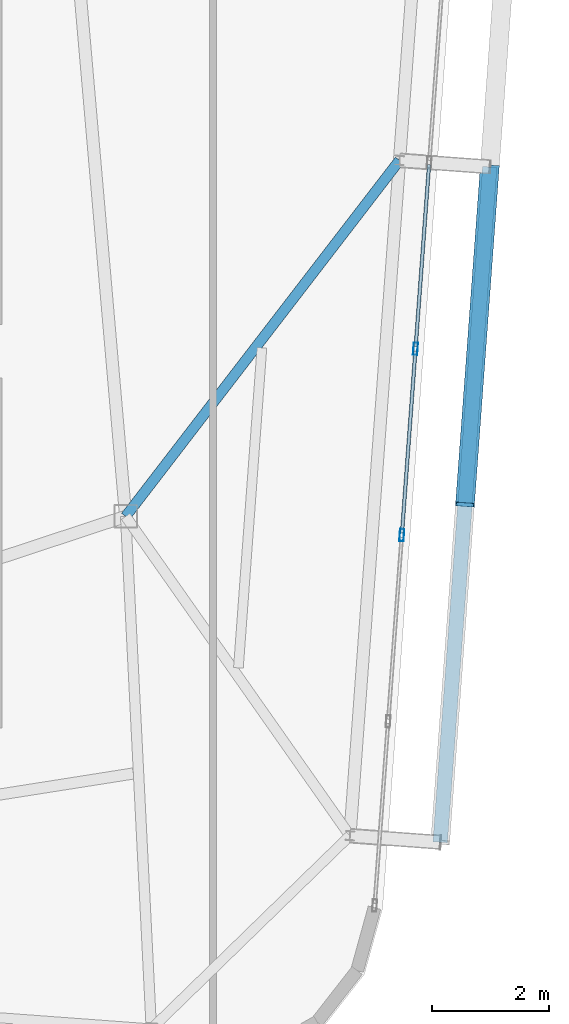
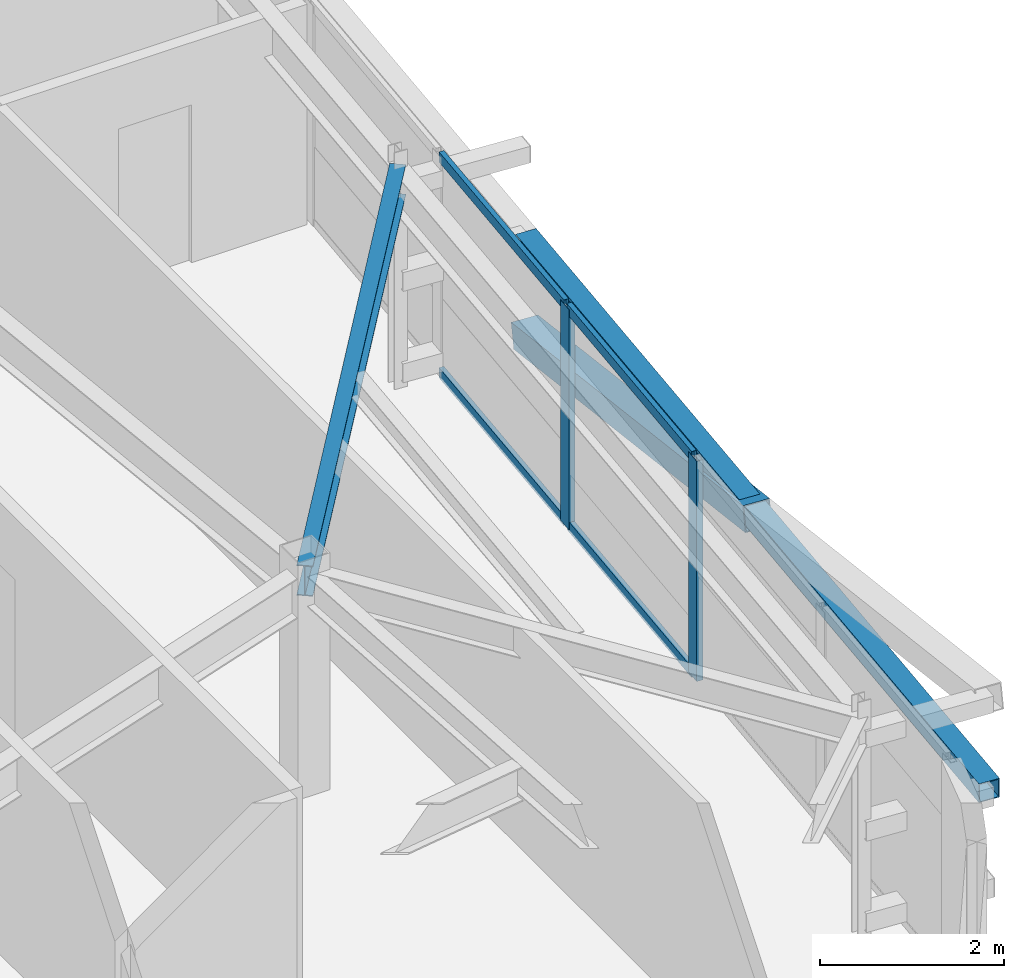
# One storey, part 21 of 42: 8 members, 1 beam, 1 element without a shape of its own.
"""IFC4 building model written with IfcOpenShell, lengths in metres."""

from ifc_helpers import new_model, si_unit, direction, frame, origin, origin_2d, place, context, subcontext, project, spatial, hollow_rectangle, i_section, extrude, source, transform, mapped, material, layer, layer_set, material_profile, profile_set, type_object, element, aggregate, save


model = new_model("IFC4")

# Units and contexts
model_context = context("Model", 3, precision=1e-05, world=origin(), true_north=direction((0.0, 1.0)))
body_context = subcontext(model_context, "Body", "Model", "MODEL_VIEW")
ifc_project = project(units=[si_unit("LENGTHUNIT", "METRE"), si_unit("AREAUNIT", "SQUARE_METRE"), si_unit("VOLUMEUNIT", "CUBIC_METRE"), si_unit("PLANEANGLEUNIT", "RADIAN"), si_unit("MASSUNIT", "GRAM", prefix="KILO")], contexts=[model_context])

# Site, building, storey
site_placement = place(None, origin())
site = spatial("IfcSite", under=ifc_project, at=site_placement, CompositionType="ELEMENT")
building_placement = place(site_placement, origin())
building = spatial("IfcBuilding", under=site, at=building_placement, Name="Taldren Reach Tower", CompositionType="ELEMENT")
storey_placement = place(building_placement, frame((0.0, 0.0, 214.550048828125)))
storey = spatial("IfcBuildingStorey", under=building, at=storey_placement, Name="L65", CompositionType="ELEMENT", Elevation=214.550048828125)

# Beam
ifc_material_1 = material(Name="Steel Gr 350 (350PLUS)", Category="steel")
ifc_material_profile_1 = material_profile(ifc_material_1, i_section(OverallWidth=0.177978515625, OverallDepth=0.406005859375, WebThickness=0.0078125, FlangeThickness=0.0126953125, at=origin_2d()), Name="410UB59.7")
ifc_profile_set_1 = profile_set([ifc_material_profile_1], Name="Steel Gr 350 (350PLUS)")
beam_type = type_object("IfcBeamType", Name="BM-UB410", PredefinedType="BEAM", material=ifc_profile_set_1)
shared_shape_1 = source(origin(), body_context, "Body", "SweptSolid", [
    extrude(i_section(OverallWidth=0.177978515625, OverallDepth=0.406005859375, WebThickness=0.0078125, FlangeThickness=0.0126953125, at=origin_2d()), origin(), (0.0, 0.0, 1.0), 7.6953125),
])
beam_placement = place(storey_placement, frame((52.0, 12.5, 2.72705078125), z_axis=(0.609646363361, 0.792673521471, 0.0), x_axis=(-0.792673521471, 0.609646363361, 0.0)))
element("IfcBeam", 1, at=beam_placement, inside=storey, type_object=beam_type, Name="Primary floor girder B5-E2 L65", PredefinedType="BEAM", context=body_context, shape_type="MappedRepresentation", body=[
    mapped(shared_shape_1, transform((0.0, 0.0, 0.0), scale=1.0)),
])

# Members
ifc_material_2 = material(Name="Steel Gr 450 (C450L0)", Category="steel")
ifc_material_profile_2 = material_profile(ifc_material_2, hollow_rectangle(XDim=0.324951171875, YDim=0.324951171875, WallThickness=0.0126953125, at=origin_2d()), Name="325x325x12.7SHS")
ifc_profile_set_2 = profile_set([ifc_material_profile_2], Name="Steel Gr 450 (C450L0)")
member_type_1 = type_object("IfcMemberType", Name="MB-BR324", PredefinedType="BRACE", material=ifc_profile_set_2)
shared_shape_2 = source(origin(), body_context, "Body", "SweptSolid", [
    extrude(hollow_rectangle(XDim=0.324951171875, YDim=0.324951171875, WallThickness=0.0126953125, at=origin_2d()), origin(), (0.0, 0.0, 1.0), 5.926025390625),
])
member_1_placement = place(storey_placement, frame((58.237060546875, 18.486328125, 0.219970703125), z_axis=(-0.071685935393, -0.976123486939, 0.205046494513), x_axis=(0.997314185625, -0.073242167855, 0.0)))
element("IfcMember", 2, at=member_1_placement, inside=storey, type_object=member_type_1, Name="Exoskeleton Diagrid Brace B5-E1 L65", PredefinedType="BRACE", context=body_context, shape_type="MappedRepresentation", body=[
    mapped(shared_shape_2, transform((0.0, 0.0, 0.0), scale=1.0)),
])
ifc_material_3 = material(Name="Steel Gr 350 (C350L0)", Category="steel")
ifc_material_profile_3 = material_profile(ifc_material_3, hollow_rectangle(XDim=0.25, YDim=0.25, WallThickness=0.010009765625, at=origin_2d()), Name="250x250x10.0SHS")
ifc_profile_set_3 = profile_set([ifc_material_profile_3], Name="Steel Gr 350 (C350L0)")
member_type_2 = type_object("IfcMemberType", Name="MB-POST250", PredefinedType="POST", material=ifc_profile_set_3)
shared_shape_3 = source(origin(), body_context, "Body", "SweptSolid", [
    extrude(hollow_rectangle(XDim=0.25, YDim=0.25, WallThickness=0.010009765625, at=origin_2d()), origin(), (0.0, 0.0, 1.0), 11.60009765625),
])
member_2_placement = place(storey_placement, frame((57.3876953125, 6.91748046875, 1.43505859375), z_axis=(0.073221234109, 0.997315722766, 0.0), x_axis=(-0.997315722766, 0.073221234109, 0.0)))
element("IfcMember", 3, at=member_2_placement, inside=storey, type_object=member_type_2, Name="Exoskeleton mid-height ring chord B5-E1 L65", PredefinedType="POST", context=body_context, shape_type="MappedRepresentation", body=[
    mapped(shared_shape_3, transform((0.0, 0.0, 0.0), scale=1.0)),
])

# Curtain wall, members
ifc_material_4 = material(Name="Aluminium and Low-E Glass Unitised System", Category="aluminium")
ifc_layer = layer(ifc_material_4, 0.159912109375)
ifc_layer_set = layer_set([ifc_layer], Name="Aluminium and Low-E Glass Unitised System")
curtain_wall_type = type_object("IfcCurtainWallType", Name="CW-SYS-6", PredefinedType="NOTDEFINED", material=ifc_layer_set)
curtain_wall_placement = place(storey_placement, origin())
curtain_wall = element("IfcCurtainWall", 4, at=curtain_wall_placement, inside=storey, type_object=curtain_wall_type, Name="Unitised curtain wall CW-L65-E", PredefinedType="NOTDEFINED")
ifc_material_5 = material(Name="Anodised Aluminium 6063-T6", Category="aluminium")
ifc_material_profile_4 = material_profile(ifc_material_5, hollow_rectangle(XDim=0.074951171875, YDim=0.2099609375, WallThickness=0.00439453125, at=origin_2d()), Name="ALU-210x75x4.5RHS")
ifc_profile_set_4 = profile_set([ifc_material_profile_4], Name="Anodised Aluminium 6063-T6")
member_type_3 = type_object("IfcMemberType", Name="CW-MUL-200", PredefinedType="MULLION", material=ifc_profile_set_4)
shared_shape_4 = source(origin(), body_context, "Body", "SweptSolid", [
    extrude(hollow_rectangle(XDim=0.074951171875, YDim=0.2099609375, WallThickness=0.00439453125, at=origin_2d()), origin(), (0.0, 0.0, 1.0), 2.929931640625),
])
member_3_placement = place(storey_placement, frame((56.731201171875, 12.1796875, 0.0), z_axis=(0.0, 0.0, 1.0), x_axis=(-0.997314470951, 0.073238282558, 0.0)))
member_3 = element("IfcMember", 5, at=member_3_placement, type_object=member_type_3, Name="CW-6 mullion 3", PredefinedType="MULLION", context=body_context, shape_type="MappedRepresentation", body=[
    mapped(shared_shape_4, transform((0.0, 0.0, 0.0), scale=1.0)),
])
member_4_placement = place(storey_placement, frame((56.965576171875, 15.37109375, 0.0), z_axis=(0.0, 0.0, 1.0), x_axis=(-0.997314470951, 0.073238282558, 0.0)))
member_4 = element("IfcMember", 6, at=member_4_placement, type_object=member_type_3, Name="CW-6 mullion 4", PredefinedType="MULLION", context=body_context, shape_type="MappedRepresentation", body=[
    mapped(shared_shape_4, transform((0.0, 0.0, 0.0), scale=1.0)),
])
ifc_material_profile_5 = material_profile(ifc_material_5, hollow_rectangle(XDim=0.06005859375, YDim=0.135009765625, WallThickness=0.00341796875, at=origin_2d()), Name="ALU-135x60x3.5RHS")
ifc_profile_set_5 = profile_set([ifc_material_profile_5], Name="Anodised Aluminium 6063-T6")
member_type_4 = type_object("IfcMemberType", Name="CW-TRN-150", PredefinedType="USERDEFINED", material=ifc_profile_set_5)
shared_shape_5 = source(origin(), body_context, "Body", "SweptSolid", [
    extrude(hollow_rectangle(XDim=0.06005859375, YDim=0.135009765625, WallThickness=0.00341796875, at=origin_2d()), origin(), (0.0, 0.0, 1.0), 3.124755859375),
])
member_5_placement = place(storey_placement, frame((56.73388671875, 12.217041015625, 0.030029296875), z_axis=(0.073284589347, 0.997311069308, 0.0), x_axis=(-0.997311069308, 0.073284589347, 0.0)))
member_5 = element("IfcMember", 7, at=member_5_placement, type_object=member_type_4, Name="CW-6 transom 3.1", ObjectType="TRANSOM", PredefinedType="USERDEFINED", context=body_context, shape_type="MappedRepresentation", body=[
    mapped(shared_shape_5, transform((0.0, 0.0, 0.0), scale=1.0)),
])
member_6_placement = place(storey_placement, frame((56.73388671875, 12.217041015625, 2.89990234375), z_axis=(0.073284589347, 0.997311069308, 0.0), x_axis=(-0.997311069308, 0.073284589347, 0.0)))
member_6 = element("IfcMember", 8, at=member_6_placement, type_object=member_type_4, Name="CW-6 transom 3.2", ObjectType="TRANSOM", PredefinedType="USERDEFINED", context=body_context, shape_type="MappedRepresentation", body=[
    mapped(shared_shape_5, transform((0.0, 0.0, 0.0), scale=1.0)),
])
member_7_placement = place(storey_placement, frame((56.96826171875, 15.408447265625, 0.030029296875), z_axis=(0.073284589347, 0.997311069308, 0.0), x_axis=(-0.997311069308, 0.073284589347, 0.0)))
member_7 = element("IfcMember", 9, at=member_7_placement, type_object=member_type_4, Name="CW-6 transom 4.1", ObjectType="TRANSOM", PredefinedType="USERDEFINED", context=body_context, shape_type="MappedRepresentation", body=[
    mapped(shared_shape_5, transform((0.0, 0.0, 0.0), scale=1.0)),
])
member_8_placement = place(storey_placement, frame((56.96826171875, 15.408447265625, 2.89990234375), z_axis=(0.073284589347, 0.997311069308, 0.0), x_axis=(-0.997311069308, 0.073284589347, 0.0)))
member_8 = element("IfcMember", 10, at=member_8_placement, type_object=member_type_4, Name="CW-6 transom 4.2", ObjectType="TRANSOM", PredefinedType="USERDEFINED", context=body_context, shape_type="MappedRepresentation", body=[
    mapped(shared_shape_5, transform((0.0, 0.0, 0.0), scale=1.0)),
])
aggregate(curtain_wall, [member_3, member_4, member_5, member_6, member_7, member_8])

save(model, "model.ifc")
